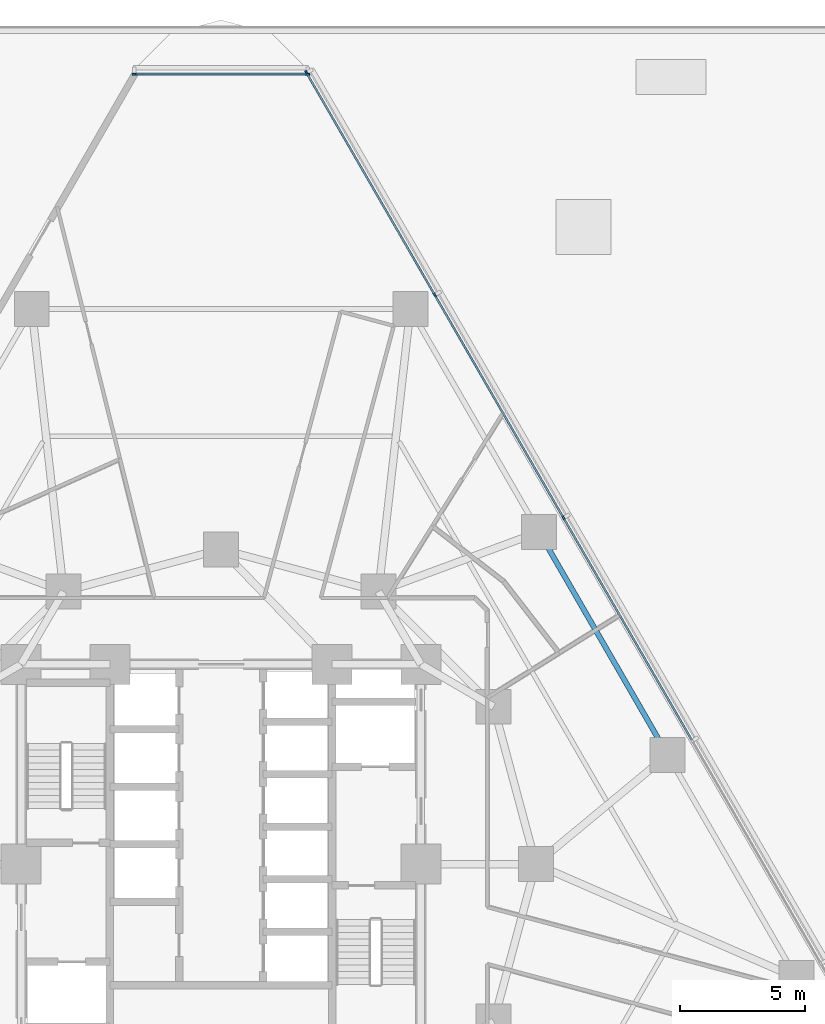
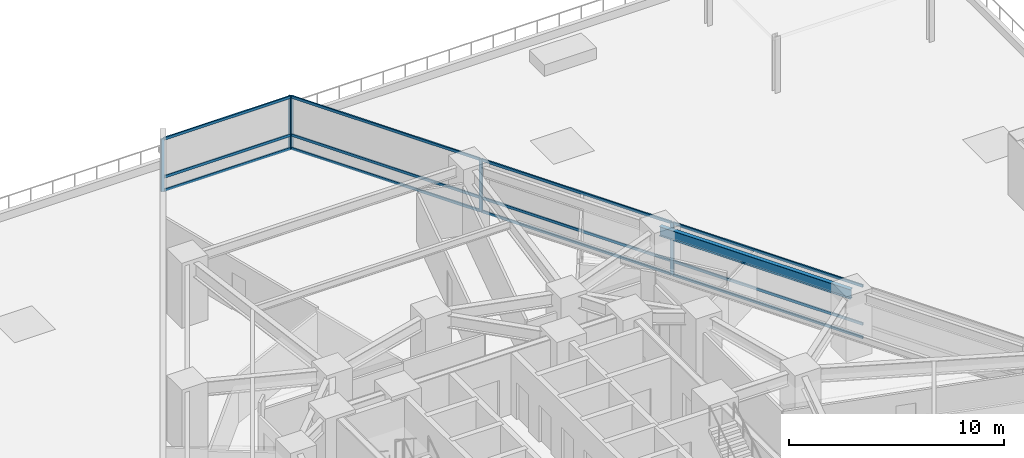
# One storey, part 12 of 23: 17 members, 1 beam, 2 elements without a shape of their own.
"""IFC4 building model written with IfcOpenShell, lengths in metres."""

from ifc_helpers import new_model, si_unit, direction, frame, origin, origin_2d, place, context, subcontext, project, spatial, rectangle, i_section, extrude, material, layer, layer_set, material_profile, profile_set, type_object, element, aggregate, save


model = new_model("IFC4")

# Units and contexts
model_context = context("Model", 3, precision=1e-05, world=origin(), true_north=direction((0.0, 1.0)))
body_context = subcontext(model_context, "Body", "Model", "MODEL_VIEW")
ifc_project = project(units=[si_unit("LENGTHUNIT", "METRE"), si_unit("AREAUNIT", "SQUARE_METRE"), si_unit("VOLUMEUNIT", "CUBIC_METRE"), si_unit("PLANEANGLEUNIT", "RADIAN"), si_unit("MASSUNIT", "GRAM", prefix="KILO")], contexts=[model_context])

# Site, building, storey
site_placement = place(None, origin())
site = spatial("IfcSite", under=ifc_project, at=site_placement, CompositionType="ELEMENT")
building_placement = place(site_placement, origin())
building = spatial("IfcBuilding", under=site, at=building_placement, Name="Terralouvre Media Tower", CompositionType="ELEMENT")
storey_placement = place(building_placement, frame((0.0, 0.0, 26.0)))
storey = spatial("IfcBuildingStorey", under=building, at=storey_placement, Name="L05", CompositionType="ELEMENT", Elevation=26.0)

# Curtain wall, members
ifc_material_1 = material(Name="Low-iron laminated double glazing with solar-control coating", Category="glass")
ifc_layer_1 = layer(ifc_material_1, 0.1650390625, Name="Lower Media Tower Unitised Curtain Wall CW-02")
ifc_layer_set_1 = layer_set([ifc_layer_1], Name="Low-iron laminated double glazing with solar-control coating")
curtain_wall_type_1 = type_object("IfcCurtainWallType", Name="Lower Media Tower Unitised Curtain Wall CW-02", PredefinedType="NOTDEFINED", material=ifc_layer_set_1)
curtain_wall_1_placement = place(storey_placement, origin())
curtain_wall_1 = element("IfcCurtainWall", 1, at=curtain_wall_1_placement, inside=storey, type_object=curtain_wall_type_1, Name="L05 Facade Curtain Wall F1", PredefinedType="NOTDEFINED")
ifc_material_2 = material(Name="Anodised extruded aluminium 6063-T6", Category="aluminium")
ifc_material_profile_1 = material_profile(ifc_material_2, rectangle(XDim=0.074951171875, YDim=0.14990234375, at=origin_2d()), Name="ALU 75x150")
ifc_profile_set_1 = profile_set([ifc_material_profile_1], Name="Anodised extruded aluminium 6063-T6")
member_type_1 = type_object("IfcMemberType", Name="Curtain-Wall Horizontal Transom TR-150", PredefinedType="USERDEFINED", material=ifc_profile_set_1)
member_1_placement = place(storey_placement, frame((18.834716796875, 4.970947265625, 0.03759765625), z_axis=(-0.50000905659, 0.866020174897, 0.0), x_axis=(-0.866020174897, -0.50000905659, 0.0)))
member_1 = element("IfcMember", 2, at=member_1_placement, type_object=member_type_1, Name="CW-02 transom 3.1", ObjectType="TRANSOM", PredefinedType="USERDEFINED", context=body_context, shape_type="SweptSolid", body=[
    extrude(rectangle(XDim=0.074951171875, YDim=0.14990234375, at=origin_2d()), origin(), (0.0, 0.0, 1.0), 10.224853515625),
])
member_2_placement = place(storey_placement, frame((18.834716796875, 4.970947265625, 0.800048828125), z_axis=(-0.50000905659, 0.866020174897, 0.0), x_axis=(-0.866020174897, -0.50000905659, 0.0)))
member_2 = element("IfcMember", 3, at=member_2_placement, type_object=member_type_1, Name="CW-02 transom 3.2", ObjectType="TRANSOM", PredefinedType="USERDEFINED", context=body_context, shape_type="SweptSolid", body=[
    extrude(rectangle(XDim=0.074951171875, YDim=0.14990234375, at=origin_2d()), origin(), (0.0, 0.0, 1.0), 10.224853515625),
])
member_3_placement = place(storey_placement, frame((18.834716796875, 4.970947265625, 2.96240234375), z_axis=(-0.50000905659, 0.866020174897, 0.0), x_axis=(-0.866020174897, -0.50000905659, 0.0)))
member_3 = element("IfcMember", 4, at=member_3_placement, type_object=member_type_1, Name="CW-02 transom 3.3", ObjectType="TRANSOM", PredefinedType="USERDEFINED", context=body_context, shape_type="SweptSolid", body=[
    extrude(rectangle(XDim=0.074951171875, YDim=0.14990234375, at=origin_2d()), origin(), (0.0, 0.0, 1.0), 10.224853515625),
])
member_4_placement = place(storey_placement, frame((13.684814453125, 13.890869140625, 0.03759765625), z_axis=(-0.499998717582, 0.866026144187, 0.0), x_axis=(-0.866026144187, -0.499998717582, 0.0)))
member_4 = element("IfcMember", 5, at=member_4_placement, type_object=member_type_1, Name="CW-02 transom 4.1", ObjectType="TRANSOM", PredefinedType="USERDEFINED", context=body_context, shape_type="SweptSolid", body=[
    extrude(rectangle(XDim=0.074951171875, YDim=0.14990234375, at=origin_2d()), origin(), (0.0, 0.0, 1.0), 10.22509765625),
])
member_5_placement = place(storey_placement, frame((13.684814453125, 13.890869140625, 0.800048828125), z_axis=(-0.499998717582, 0.866026144187, 0.0), x_axis=(-0.866026144187, -0.499998717582, 0.0)))
member_5 = element("IfcMember", 6, at=member_5_placement, type_object=member_type_1, Name="CW-02 transom 4.2", ObjectType="TRANSOM", PredefinedType="USERDEFINED", context=body_context, shape_type="SweptSolid", body=[
    extrude(rectangle(XDim=0.074951171875, YDim=0.14990234375, at=origin_2d()), origin(), (0.0, 0.0, 1.0), 10.22509765625),
])
member_6_placement = place(storey_placement, frame((13.684814453125, 13.890869140625, 2.96240234375), z_axis=(-0.499998717582, 0.866026144187, 0.0), x_axis=(-0.866026144187, -0.499998717582, 0.0)))
member_6 = element("IfcMember", 7, at=member_6_placement, type_object=member_type_1, Name="CW-02 transom 4.3", ObjectType="TRANSOM", PredefinedType="USERDEFINED", context=body_context, shape_type="SweptSolid", body=[
    extrude(rectangle(XDim=0.074951171875, YDim=0.14990234375, at=origin_2d()), origin(), (0.0, 0.0, 1.0), 10.22509765625),
])
member_7_placement = place(storey_placement, frame((8.53466796875, 22.81103515625, 0.03759765625), z_axis=(-0.500005272087, 0.866022359922, 0.0), x_axis=(-0.866022359922, -0.500005272087, 0.0)))
member_7 = element("IfcMember", 8, at=member_7_placement, type_object=member_type_1, Name="CW-02 transom 5.1", ObjectType="TRANSOM", PredefinedType="USERDEFINED", context=body_context, shape_type="SweptSolid", body=[
    extrude(rectangle(XDim=0.074951171875, YDim=0.14990234375, at=origin_2d()), origin(), (0.0, 0.0, 1.0), 10.1875),
])
member_8_placement = place(storey_placement, frame((8.53466796875, 22.81103515625, 0.800048828125), z_axis=(-0.500005272087, 0.866022359922, 0.0), x_axis=(-0.866022359922, -0.500005272087, 0.0)))
member_8 = element("IfcMember", 9, at=member_8_placement, type_object=member_type_1, Name="CW-02 transom 5.2", ObjectType="TRANSOM", PredefinedType="USERDEFINED", context=body_context, shape_type="SweptSolid", body=[
    extrude(rectangle(XDim=0.074951171875, YDim=0.14990234375, at=origin_2d()), origin(), (0.0, 0.0, 1.0), 10.1875),
])
member_9_placement = place(storey_placement, frame((8.53466796875, 22.81103515625, 2.96240234375), z_axis=(-0.500005272087, 0.866022359922, 0.0), x_axis=(-0.866022359922, -0.500005272087, 0.0)))
member_9 = element("IfcMember", 10, at=member_9_placement, type_object=member_type_1, Name="CW-02 transom 5.3", ObjectType="TRANSOM", PredefinedType="USERDEFINED", context=body_context, shape_type="SweptSolid", body=[
    extrude(rectangle(XDim=0.074951171875, YDim=0.14990234375, at=origin_2d()), origin(), (0.0, 0.0, 1.0), 10.1875),
])

ifc_material_3 = material(Name="Low-iron laminated double glazing with solar-control coating", Category="glass")
ifc_layer_2 = layer(ifc_material_3, 0.1650390625, Name="Rounded Wind-Corner Curved Glazing CW-04")
ifc_layer_set_2 = layer_set([ifc_layer_2], Name="Low-iron laminated double glazing with solar-control coating")
curtain_wall_type_2 = type_object("IfcCurtainWallType", Name="Rounded Wind-Corner Curved Glazing CW-04", PredefinedType="NOTDEFINED", material=ifc_layer_set_2)
curtain_wall_2_placement = place(storey_placement, origin())
curtain_wall_2 = element("IfcCurtainWall", 11, at=curtain_wall_2_placement, inside=storey, type_object=curtain_wall_type_2, Name="L05 Rounded Wind-Corner Curtain Wall C2", PredefinedType="NOTDEFINED")
member_10_placement = place(storey_placement, frame((3.432373046875, 31.61865234375, 0.03759765625), z_axis=(-1.0, 0.0, 0.0), x_axis=(0.0, -1.0, 0.0)))
member_10 = element("IfcMember", 12, at=member_10_placement, type_object=member_type_1, Name="CW-04 transom 1.1", ObjectType="TRANSOM", PredefinedType="USERDEFINED", context=body_context, shape_type="SweptSolid", body=[
    extrude(rectangle(XDim=0.074951171875, YDim=0.14990234375, at=origin_2d()), origin(), (0.0, 0.0, 1.0), 6.86474609375),
])
member_11_placement = place(storey_placement, frame((3.432373046875, 31.61865234375, 0.800048828125), z_axis=(-1.0, 0.0, 0.0), x_axis=(0.0, -1.0, 0.0)))
member_11 = element("IfcMember", 13, at=member_11_placement, type_object=member_type_1, Name="CW-04 transom 1.2", ObjectType="TRANSOM", PredefinedType="USERDEFINED", context=body_context, shape_type="SweptSolid", body=[
    extrude(rectangle(XDim=0.074951171875, YDim=0.14990234375, at=origin_2d()), origin(), (0.0, 0.0, 1.0), 6.86474609375),
])
member_12_placement = place(storey_placement, frame((3.432373046875, 31.61865234375, 2.96240234375), z_axis=(-1.0, 0.0, 0.0), x_axis=(0.0, -1.0, 0.0)))
member_12 = element("IfcMember", 14, at=member_12_placement, type_object=member_type_1, Name="CW-04 transom 1.3", ObjectType="TRANSOM", PredefinedType="USERDEFINED", context=body_context, shape_type="SweptSolid", body=[
    extrude(rectangle(XDim=0.074951171875, YDim=0.14990234375, at=origin_2d()), origin(), (0.0, 0.0, 1.0), 6.86474609375),
])

# Member
ifc_material_4 = material(Name="Anodised extruded aluminium 6063-T6", Category="aluminium")
ifc_material_profile_2 = material_profile(ifc_material_4, rectangle(XDim=0.074951171875, YDim=0.179931640625, at=origin_2d()), Name="ALU 75x180")
ifc_profile_set_2 = profile_set([ifc_material_profile_2], Name="Anodised extruded aluminium 6063-T6")
member_type_2 = type_object("IfcMemberType", Name="Curtain-Wall Vertical Mullion ML-180", PredefinedType="MULLION", material=ifc_profile_set_2)
member_13_placement = place(storey_placement, frame((13.703369140625, 13.8583984375, 0.0), z_axis=(0.0, 0.0, 1.0), x_axis=(-0.866025412057, -0.499999985671, 0.0)))
member_13 = element("IfcMember", 15, at=member_13_placement, type_object=member_type_2, Name="CW-02 mullion 4", PredefinedType="MULLION", context=body_context, shape_type="SweptSolid", body=[
    extrude(rectangle(XDim=0.074951171875, YDim=0.179931640625, at=origin_2d()), origin(), (0.0, 0.0, 1.0), 3.0),
])

member_14_placement = place(storey_placement, frame((8.553466796875, 22.778564453125, 0.0), z_axis=(0.0, 0.0, 1.0), x_axis=(-0.866025412057, -0.499999985671, 0.0)))
member_14 = element("IfcMember", 16, at=member_14_placement, type_object=member_type_2, Name="CW-02 mullion 5", PredefinedType="MULLION", context=body_context, shape_type="SweptSolid", body=[
    extrude(rectangle(XDim=0.074951171875, YDim=0.179931640625, at=origin_2d()), origin(), (0.0, 0.0, 1.0), 3.0),
])

member_15_placement = place(storey_placement, frame((3.422119140625, 31.666015625, 0.0), z_axis=(0.0, 0.0, 1.0), x_axis=(-0.866025412057, -0.499999985671, 0.0)))
member_15 = element("IfcMember", 17, at=member_15_placement, type_object=member_type_2, Name="CW-02 mullion 6", PredefinedType="MULLION", context=body_context, shape_type="SweptSolid", body=[
    extrude(rectangle(XDim=0.074951171875, YDim=0.179931640625, at=origin_2d()), origin(), (0.0, 0.0, 1.0), 3.0),
])

aggregate(curtain_wall_1, [member_13, member_14, member_15, member_1, member_2, member_3, member_4, member_5, member_6, member_7, member_8, member_9])

member_16_placement = place(storey_placement, frame((3.469970703125, 31.61865234375, 0.0), z_axis=(0.0, 0.0, 1.0), x_axis=(0.0, -1.0, 0.0)))
member_16 = element("IfcMember", 18, at=member_16_placement, type_object=member_type_2, Name="CW-04 mullion 1", PredefinedType="MULLION", context=body_context, shape_type="SweptSolid", body=[
    extrude(rectangle(XDim=0.074951171875, YDim=0.179931640625, at=origin_2d()), origin(), (0.0, 0.0, 1.0), 3.0),
])

member_17_placement = place(storey_placement, frame((-3.469970703125, 31.61865234375, 0.0), z_axis=(0.0, 0.0, 1.0), x_axis=(0.0, -1.0, 0.0)))
member_17 = element("IfcMember", 19, at=member_17_placement, type_object=member_type_2, Name="CW-04 mullion 2", PredefinedType="MULLION", context=body_context, shape_type="SweptSolid", body=[
    extrude(rectangle(XDim=0.074951171875, YDim=0.179931640625, at=origin_2d()), origin(), (0.0, 0.0, 1.0), 3.0),
])

aggregate(curtain_wall_2, [member_16, member_17, member_10, member_11, member_12])

# Beam
ifc_material_5 = material(Name="Structural steel S355J2", Category="steel")
ifc_material_profile_3 = material_profile(ifc_material_5, i_section(OverallWidth=0.2099609375, OverallDepth=0.550048828125, WebThickness=0.010986328125, FlangeThickness=0.01708984375, at=origin_2d()), Name="IPE 550")
ifc_profile_set_3 = profile_set([ifc_material_profile_3], Name="Structural steel S355J2")
beam_type = type_object("IfcBeamType", Name="Perimeter Spandrel Beam SPB-550 (IPE 550)", PredefinedType="SPANDREL", material=ifc_profile_set_3)
beam_placement = place(storey_placement, frame((17.874755859375, 4.373291015625, 3.22509765625), z_axis=(-0.49998850195, 0.866032042085, 0.0), x_axis=(-0.866032042085, -0.49998850195, 0.0)))
element("IfcBeam", 20, at=beam_placement, inside=storey, type_object=beam_type, Name="L05 Framing Beam BM-L05-PR07", PredefinedType="SPANDREL", context=body_context, shape_type="SweptSolid", body=[
    extrude(i_section(OverallWidth=0.2099609375, OverallDepth=0.550048828125, WebThickness=0.010986328125, FlangeThickness=0.01708984375, at=origin_2d()), origin(), (0.0, 0.0, 1.0), 10.300048828125),
])

save(model, "model.ifc")
